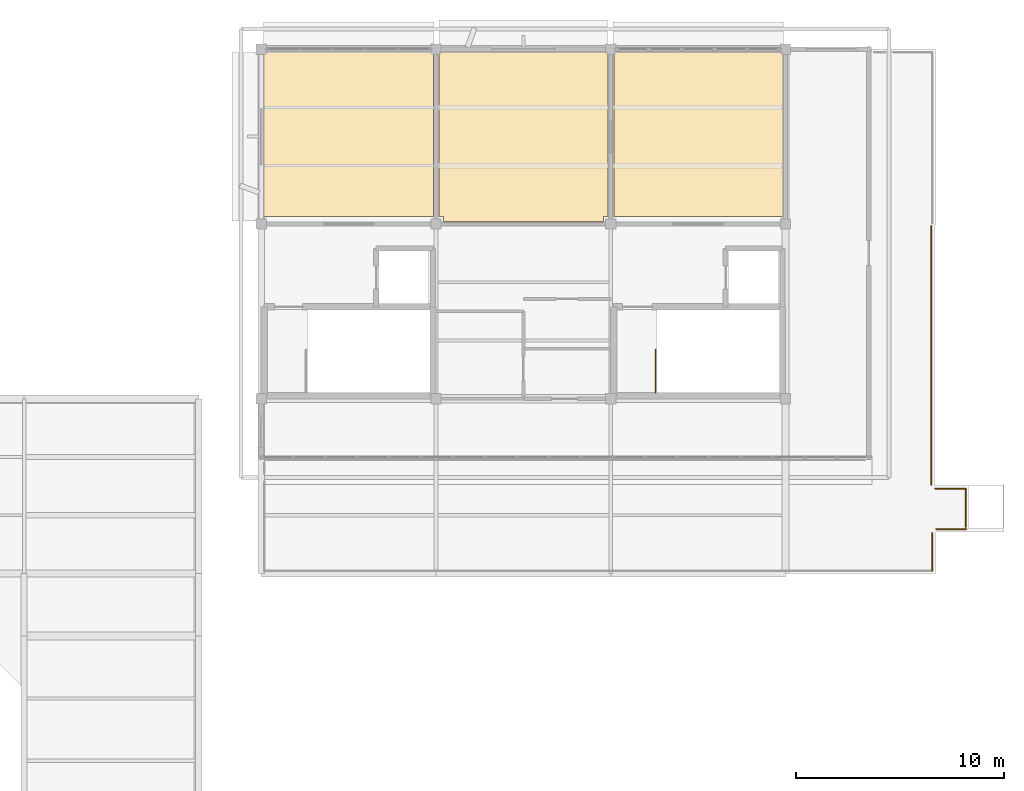
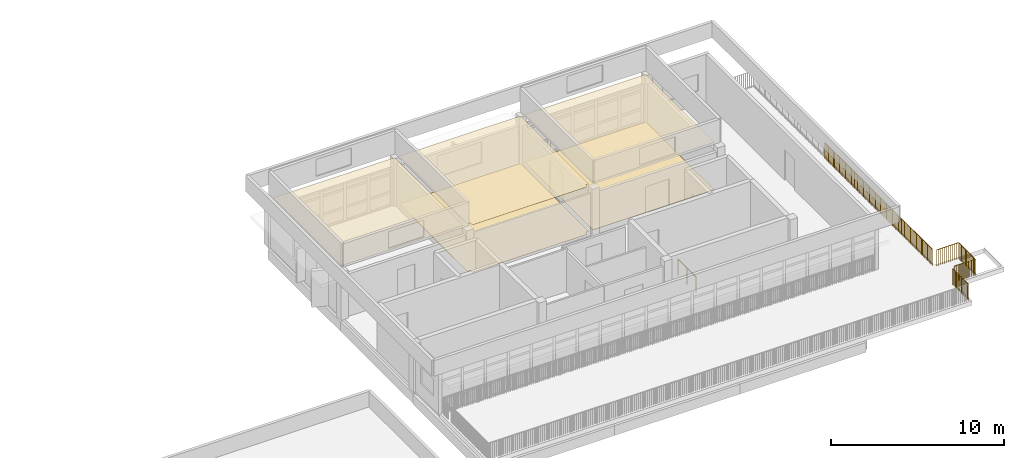
# One storey, part 13 of 14: 6 railings, 5 coverings.
"""IFC4 building model written with IfcOpenShell, lengths in metres."""

from ifc_helpers import new_model, si_unit, direction, frame, origin, origin_2d, place, context, subcontext, project, spatial, polyline, circle, outline, extrude, material, layer, layer_set, type_object, element, save


model = new_model("IFC4")

# Units and contexts
model_context = context("Model", 3, precision=1e-05, world=origin(), true_north=direction((0.0, 1.0)))
body_context = subcontext(model_context, "Body", "Model", "MODEL_VIEW")
ifc_project = project(units=[si_unit("LENGTHUNIT", "METRE"), si_unit("AREAUNIT", "SQUARE_METRE"), si_unit("VOLUMEUNIT", "CUBIC_METRE"), si_unit("PLANEANGLEUNIT", "RADIAN"), si_unit("MASSUNIT", "GRAM", prefix="KILO")], contexts=[model_context])

# Site, building, storey
site_placement = place(None, origin())
site = spatial("IfcSite", under=ifc_project, at=site_placement, CompositionType="ELEMENT")
building_placement = place(site_placement, origin())
building = spatial("IfcBuilding", under=site, at=building_placement, Name="Vanh Quang Courtyard School", CompositionType="ELEMENT")
storey_placement = place(building_placement, frame((0.0, 0.0, 22.199951171875)))
storey = spatial("IfcBuildingStorey", under=building, at=storey_placement, Name="L06", CompositionType="ELEMENT", Elevation=22.199951171875)

# Coverings
ifc_material_1 = material(Name="Perforated mineral-fibre acoustic ceiling board")
ifc_layer_1 = layer(ifc_material_1, 0.02490234375)
ifc_layer_set_1 = layer_set([ifc_layer_1], Name="Perforated mineral-fibre acoustic ceiling board")
covering_type_1 = type_object("IfcCoveringType", Name="COV-CEIL-ACOUSTIC", PredefinedType="CEILING", material=ifc_layer_set_1)
covering_1_placement = place(storey_placement, frame((0.0, 0.0, 3.35498046875)))
element("IfcCovering", 1, at=covering_1_placement, inside=storey, type_object=covering_type_1, Name="Covering CV-CL1 (L06)", PredefinedType="CEILING", context=body_context, shape_type="SweptSolid", body=[
    extrude(outline(polyline([(85.659912109375, 96.469970703125), (85.660888671875, 96.469970703125), (85.662109375, 96.4697265625), (85.662841796875, 96.469482421875), (85.663818359375, 96.46923828125), (85.664794921875, 96.46875), (85.66552734375, 96.46826171875), (85.666259765625, 96.4677734375), (85.6669921875, 96.467041015625), (85.667724609375, 96.46630859375), (85.668212890625, 96.465576171875), (85.668701171875, 96.464599609375), (85.669189453125, 96.4638671875), (85.669677734375, 96.462890625), (85.669921875, 96.4619140625), (85.669921875, 96.4609375), (85.669921875, 96.4599609375), (85.669921875, 88.550048828125), (77.530029296875, 88.550048828125), (77.530029296875, 96.4599609375), (77.530029296875, 96.4609375), (77.5302734375, 96.4619140625), (77.530517578125, 96.462890625), (77.53076171875, 96.4638671875), (77.53125, 96.464599609375), (77.53173828125, 96.465576171875), (77.5322265625, 96.46630859375), (77.532958984375, 96.467041015625), (77.53369140625, 96.4677734375), (77.534423828125, 96.46826171875), (77.535400390625, 96.46875), (77.5361328125, 96.46923828125), (77.537109375, 96.469482421875), (77.5380859375, 96.4697265625), (77.5390625, 96.469970703125), (77.5400390625, 96.469970703125), (85.659912109375, 96.469970703125)])), origin(), (0.0, 0.0, 1.0), 0.025146484375),
])
covering_2_placement = place(storey_placement, frame((0.0, 0.0, 3.35498046875)))
element("IfcCovering", 2, at=covering_2_placement, inside=storey, type_object=covering_type_1, Name="Covering CV-CL1 (L06)", PredefinedType="CEILING", context=body_context, shape_type="SweptSolid", body=[
    extrude(outline(polyline([(86.14990234375, 88.330078125), (86.14990234375, 88.550048828125), (85.949951171875, 88.550048828125), (85.949951171875, 96.4599609375), (85.949951171875, 96.4609375), (85.9501953125, 96.4619140625), (85.950439453125, 96.462890625), (85.95068359375, 96.4638671875), (85.951171875, 96.464599609375), (85.95166015625, 96.465576171875), (85.952392578125, 96.46630859375), (85.952880859375, 96.467041015625), (85.95361328125, 96.4677734375), (85.954345703125, 96.46826171875), (85.955322265625, 96.46875), (85.956298828125, 96.46923828125), (85.95703125, 96.469482421875), (85.9580078125, 96.4697265625), (85.958984375, 96.469970703125), (85.9599609375, 96.469970703125), (94.06005859375, 96.469970703125), (94.06103515625, 96.469970703125), (94.06201171875, 96.4697265625), (94.06298828125, 96.469482421875), (94.063720703125, 96.46923828125), (94.064697265625, 96.46875), (94.065673828125, 96.46826171875), (94.06640625, 96.4677734375), (94.067138671875, 96.467041015625), (94.067626953125, 96.46630859375), (94.068359375, 96.465576171875), (94.06884765625, 96.464599609375), (94.069091796875, 96.4638671875), (94.069580078125, 96.462890625), (94.06982421875, 96.4619140625), (94.070068359375, 96.4609375), (94.070068359375, 96.4599609375), (94.070068359375, 88.550048828125), (93.85009765625, 88.550048828125), (93.85009765625, 88.330078125), (86.14990234375, 88.330078125)])), origin(), (0.0, 0.0, 1.0), 0.025146484375),
])
covering_3_placement = place(storey_placement, frame((0.0, 0.0, 3.35498046875)))
element("IfcCovering", 3, at=covering_3_placement, inside=storey, type_object=covering_type_1, Name="Covering CV-CL1 (L06)", PredefinedType="CEILING", context=body_context, shape_type="SweptSolid", body=[
    extrude(outline(polyline([(94.35009765625, 96.4599609375), (94.35009765625, 96.4609375), (94.35009765625, 96.4619140625), (94.350341796875, 96.462890625), (94.350830078125, 96.4638671875), (94.351318359375, 96.464599609375), (94.351806640625, 96.465576171875), (94.352294921875, 96.46630859375), (94.352783203125, 96.467041015625), (94.353759765625, 96.4677734375), (94.3544921875, 96.46826171875), (94.355224609375, 96.46875), (94.356201171875, 96.46923828125), (94.357177734375, 96.469482421875), (94.35791015625, 96.4697265625), (94.35888671875, 96.469970703125), (94.360107421875, 96.469970703125), (102.4599609375, 96.469970703125), (102.4609375, 96.469970703125), (102.4619140625, 96.4697265625), (102.462890625, 96.469482421875), (102.4638671875, 96.46923828125), (102.464599609375, 96.46875), (102.465576171875, 96.46826171875), (102.46630859375, 96.4677734375), (102.467041015625, 96.467041015625), (102.4677734375, 96.46630859375), (102.46826171875, 96.465576171875), (102.46875, 96.464599609375), (102.46923828125, 96.4638671875), (102.469482421875, 96.462890625), (102.4697265625, 96.4619140625), (102.469970703125, 96.4609375), (102.469970703125, 96.4599609375), (102.469970703125, 88.550048828125), (94.35009765625, 88.550048828125), (94.35009765625, 96.4599609375)])), origin(), (0.0, 0.0, 1.0), 0.025146484375),
])
ifc_material_2 = material(Name="Polished cementitious terrazzo tile", Category="concrete")
ifc_layer_2 = layer(ifc_material_2, 0.02001953125)
ifc_layer_set_2 = layer_set([ifc_layer_2], Name="Polished cementitious terrazzo tile")
covering_type_2 = type_object("IfcCoveringType", Name="COV-FLR-TERRAZZO", PredefinedType="FLOORING", material=ifc_layer_set_2)
covering_4_placement = place(storey_placement, origin())
element("IfcCovering", 4, at=covering_4_placement, inside=storey, type_object=covering_type_2, Name="Covering CV-FL1 (L06)", PredefinedType="FLOORING", context=body_context, shape_type="SweptSolid", body=[
    extrude(outline(polyline([(86.14990234375, 88.330078125), (86.14990234375, 88.550048828125), (85.949951171875, 88.550048828125), (85.949951171875, 96.4599609375), (85.949951171875, 96.4609375), (85.9501953125, 96.4619140625), (85.950439453125, 96.462890625), (85.95068359375, 96.4638671875), (85.951171875, 96.464599609375), (85.95166015625, 96.465576171875), (85.952392578125, 96.46630859375), (85.952880859375, 96.467041015625), (85.95361328125, 96.4677734375), (85.954345703125, 96.46826171875), (85.955322265625, 96.46875), (85.956298828125, 96.46923828125), (85.95703125, 96.469482421875), (85.9580078125, 96.4697265625), (85.958984375, 96.469970703125), (85.9599609375, 96.469970703125), (94.06005859375, 96.469970703125), (94.06103515625, 96.469970703125), (94.06201171875, 96.4697265625), (94.06298828125, 96.469482421875), (94.063720703125, 96.46923828125), (94.064697265625, 96.46875), (94.065673828125, 96.46826171875), (94.06640625, 96.4677734375), (94.067138671875, 96.467041015625), (94.067626953125, 96.46630859375), (94.068359375, 96.465576171875), (94.06884765625, 96.464599609375), (94.069091796875, 96.4638671875), (94.069580078125, 96.462890625), (94.06982421875, 96.4619140625), (94.070068359375, 96.4609375), (94.070068359375, 96.4599609375), (94.070068359375, 88.550048828125), (93.85009765625, 88.550048828125), (93.85009765625, 88.330078125), (86.14990234375, 88.330078125)])), origin(), (0.0, 0.0, 1.0), 0.02001953125),
])
covering_5_placement = place(storey_placement, origin())
element("IfcCovering", 5, at=covering_5_placement, inside=storey, type_object=covering_type_2, Name="Covering CV-FL1 (L06)", PredefinedType="FLOORING", context=body_context, shape_type="SweptSolid", body=[
    extrude(outline(polyline([(94.35009765625, 96.4599609375), (94.35009765625, 96.4609375), (94.35009765625, 96.4619140625), (94.350341796875, 96.462890625), (94.350830078125, 96.4638671875), (94.351318359375, 96.464599609375), (94.351806640625, 96.465576171875), (94.352294921875, 96.46630859375), (94.352783203125, 96.467041015625), (94.353759765625, 96.4677734375), (94.3544921875, 96.46826171875), (94.355224609375, 96.46875), (94.356201171875, 96.46923828125), (94.357177734375, 96.469482421875), (94.35791015625, 96.4697265625), (94.35888671875, 96.469970703125), (94.360107421875, 96.469970703125), (102.4599609375, 96.469970703125), (102.4609375, 96.469970703125), (102.4619140625, 96.4697265625), (102.462890625, 96.469482421875), (102.4638671875, 96.46923828125), (102.464599609375, 96.46875), (102.465576171875, 96.46826171875), (102.46630859375, 96.4677734375), (102.467041015625, 96.467041015625), (102.4677734375, 96.46630859375), (102.46826171875, 96.465576171875), (102.46875, 96.464599609375), (102.46923828125, 96.4638671875), (102.469482421875, 96.462890625), (102.4697265625, 96.4619140625), (102.469970703125, 96.4609375), (102.469970703125, 96.4599609375), (102.469970703125, 88.550048828125), (94.35009765625, 88.550048828125), (94.35009765625, 96.4599609375)])), origin(), (0.0, 0.0, 1.0), 0.02001953125),
])

# Railings
ifc_material_3 = material(Name="Galvanised painted steel EN 10025-2 S355J2", Category="steel")
railing_type = type_object("IfcRailingType", Name="RAIL-GUARD-1150", PredefinedType="BALUSTRADE", material=ifc_material_3)
railing_1_placement = place(storey_placement, frame((109.610107421875, 88.10009765625, 0.0)))
element("IfcRailing", 6, at=railing_1_placement, inside=storey, type_object=railing_type, Name="Railing GR-01 (L06)", PredefinedType="BALUSTRADE", context=body_context, shape_type="SweptSolid", body=[
    extrude(circle(Radius=0.02392578125, at=origin_2d()), frame((0.0, 0.0, 1.1259765625), z_axis=(0.0, -1.0, 0.0), x_axis=(1.0, 0.0, 0.0)), (0.0, 0.0, 1.0), 12.43017578125),
    extrude(circle(Radius=0.02099609375, at=origin_2d()), origin(), (0.0, 0.0, 1.0), 1.101806640625),
    extrude(circle(Radius=0.02099609375, at=origin_2d()), frame((0.0, -0.1396484375, 0.0)), (0.0, 0.0, 1.0), 1.101806640625),
    extrude(circle(Radius=0.02099609375, at=origin_2d()), frame((0.0, -0.279296875, 0.0)), (0.0, 0.0, 1.0), 1.101806640625),
    extrude(circle(Radius=0.02099609375, at=origin_2d()), frame((0.0, -0.4189453125, 0.0)), (0.0, 0.0, 1.0), 1.101806640625),
    extrude(circle(Radius=0.02099609375, at=origin_2d()), frame((0.0, -0.55859375, 0.0)), (0.0, 0.0, 1.0), 1.101806640625),
    extrude(circle(Radius=0.02099609375, at=origin_2d()), frame((0.0, -0.6982421875, 0.0)), (0.0, 0.0, 1.0), 1.101806640625),
    extrude(circle(Radius=0.02099609375, at=origin_2d()), frame((0.0, -0.837890625, 0.0)), (0.0, 0.0, 1.0), 1.101806640625),
    extrude(circle(Radius=0.02099609375, at=origin_2d()), frame((0.0, -0.9775390625, 0.0)), (0.0, 0.0, 1.0), 1.101806640625),
    extrude(circle(Radius=0.02099609375, at=origin_2d()), frame((0.0, -1.117431640625, 0.0)), (0.0, 0.0, 1.0), 1.101806640625),
    extrude(circle(Radius=0.02099609375, at=origin_2d()), frame((0.0, -1.257080078125, 0.0)), (0.0, 0.0, 1.0), 1.101806640625),
    extrude(circle(Radius=0.02099609375, at=origin_2d()), frame((0.0, -1.396728515625, 0.0)), (0.0, 0.0, 1.0), 1.101806640625),
    extrude(circle(Radius=0.02099609375, at=origin_2d()), frame((0.0, -1.536376953125, 0.0)), (0.0, 0.0, 1.0), 1.101806640625),
    extrude(circle(Radius=0.02099609375, at=origin_2d()), frame((0.0, -1.676025390625, 0.0)), (0.0, 0.0, 1.0), 1.101806640625),
    extrude(circle(Radius=0.02099609375, at=origin_2d()), frame((0.0, -1.815673828125, 0.0)), (0.0, 0.0, 1.0), 1.101806640625),
    extrude(circle(Radius=0.02099609375, at=origin_2d()), frame((0.0, -1.955322265625, 0.0)), (0.0, 0.0, 1.0), 1.101806640625),
    extrude(circle(Radius=0.02099609375, at=origin_2d()), frame((0.0, -2.094970703125, 0.0)), (0.0, 0.0, 1.0), 1.101806640625),
    extrude(circle(Radius=0.02099609375, at=origin_2d()), frame((0.0, -2.234619140625, 0.0)), (0.0, 0.0, 1.0), 1.101806640625),
    extrude(circle(Radius=0.02099609375, at=origin_2d()), frame((0.0, -2.374267578125, 0.0)), (0.0, 0.0, 1.0), 1.101806640625),
    extrude(circle(Radius=0.02099609375, at=origin_2d()), frame((0.0, -2.513916015625, 0.0)), (0.0, 0.0, 1.0), 1.101806640625),
    extrude(circle(Radius=0.02099609375, at=origin_2d()), frame((0.0, -2.653564453125, 0.0)), (0.0, 0.0, 1.0), 1.101806640625),
    extrude(circle(Radius=0.02099609375, at=origin_2d()), frame((0.0, -2.793212890625, 0.0)), (0.0, 0.0, 1.0), 1.101806640625),
    extrude(circle(Radius=0.02099609375, at=origin_2d()), frame((0.0, -2.932861328125, 0.0)), (0.0, 0.0, 1.0), 1.101806640625),
    extrude(circle(Radius=0.02099609375, at=origin_2d()), frame((0.0, -3.072509765625, 0.0)), (0.0, 0.0, 1.0), 1.101806640625),
    extrude(circle(Radius=0.02099609375, at=origin_2d()), frame((0.0, -3.21240234375, 0.0)), (0.0, 0.0, 1.0), 1.101806640625),
    extrude(circle(Radius=0.02099609375, at=origin_2d()), frame((0.0, -3.35205078125, 0.0)), (0.0, 0.0, 1.0), 1.101806640625),
    extrude(circle(Radius=0.02099609375, at=origin_2d()), frame((0.0, -3.49169921875, 0.0)), (0.0, 0.0, 1.0), 1.101806640625),
    extrude(circle(Radius=0.02099609375, at=origin_2d()), frame((0.0, -3.63134765625, 0.0)), (0.0, 0.0, 1.0), 1.101806640625),
    extrude(circle(Radius=0.02099609375, at=origin_2d()), frame((0.0, -3.77099609375, 0.0)), (0.0, 0.0, 1.0), 1.101806640625),
    extrude(circle(Radius=0.02099609375, at=origin_2d()), frame((0.0, -3.91064453125, 0.0)), (0.0, 0.0, 1.0), 1.101806640625),
    extrude(circle(Radius=0.02099609375, at=origin_2d()), frame((0.0, -4.05029296875, 0.0)), (0.0, 0.0, 1.0), 1.101806640625),
    extrude(circle(Radius=0.02099609375, at=origin_2d()), frame((0.0, -4.18994140625, 0.0)), (0.0, 0.0, 1.0), 1.101806640625),
    extrude(circle(Radius=0.02099609375, at=origin_2d()), frame((0.0, -4.32958984375, 0.0)), (0.0, 0.0, 1.0), 1.101806640625),
    extrude(circle(Radius=0.02099609375, at=origin_2d()), frame((0.0, -4.46923828125, 0.0)), (0.0, 0.0, 1.0), 1.101806640625),
    extrude(circle(Radius=0.02099609375, at=origin_2d()), frame((0.0, -4.60888671875, 0.0)), (0.0, 0.0, 1.0), 1.101806640625),
    extrude(circle(Radius=0.02099609375, at=origin_2d()), frame((0.0, -4.74853515625, 0.0)), (0.0, 0.0, 1.0), 1.101806640625),
    extrude(circle(Radius=0.02099609375, at=origin_2d()), frame((0.0, -4.88818359375, 0.0)), (0.0, 0.0, 1.0), 1.101806640625),
    extrude(circle(Radius=0.02099609375, at=origin_2d()), frame((0.0, -5.02783203125, 0.0)), (0.0, 0.0, 1.0), 1.101806640625),
    extrude(circle(Radius=0.02099609375, at=origin_2d()), frame((0.0, -5.16748046875, 0.0)), (0.0, 0.0, 1.0), 1.101806640625),
    extrude(circle(Radius=0.02099609375, at=origin_2d()), frame((0.0, -5.307373046875, 0.0)), (0.0, 0.0, 1.0), 1.101806640625),
    extrude(circle(Radius=0.02099609375, at=origin_2d()), frame((0.0, -5.447021484375, 0.0)), (0.0, 0.0, 1.0), 1.101806640625),
    extrude(circle(Radius=0.02099609375, at=origin_2d()), frame((0.0, -5.586669921875, 0.0)), (0.0, 0.0, 1.0), 1.101806640625),
    extrude(circle(Radius=0.02099609375, at=origin_2d()), frame((0.0, -5.726318359375, 0.0)), (0.0, 0.0, 1.0), 1.101806640625),
    extrude(circle(Radius=0.02099609375, at=origin_2d()), frame((0.0, -5.865966796875, 0.0)), (0.0, 0.0, 1.0), 1.101806640625),
    extrude(circle(Radius=0.02099609375, at=origin_2d()), frame((0.0, -6.005615234375, 0.0)), (0.0, 0.0, 1.0), 1.101806640625),
    extrude(circle(Radius=0.02099609375, at=origin_2d()), frame((0.0, -6.145263671875, 0.0)), (0.0, 0.0, 1.0), 1.101806640625),
    extrude(circle(Radius=0.02099609375, at=origin_2d()), frame((0.0, -6.284912109375, 0.0)), (0.0, 0.0, 1.0), 1.101806640625),
    extrude(circle(Radius=0.02099609375, at=origin_2d()), frame((0.0, -6.424560546875, 0.0)), (0.0, 0.0, 1.0), 1.101806640625),
    extrude(circle(Radius=0.02099609375, at=origin_2d()), frame((0.0, -6.564208984375, 0.0)), (0.0, 0.0, 1.0), 1.101806640625),
    extrude(circle(Radius=0.02099609375, at=origin_2d()), frame((0.0, -6.703857421875, 0.0)), (0.0, 0.0, 1.0), 1.101806640625),
    extrude(circle(Radius=0.02099609375, at=origin_2d()), frame((0.0, -6.843505859375, 0.0)), (0.0, 0.0, 1.0), 1.101806640625),
    extrude(circle(Radius=0.02099609375, at=origin_2d()), frame((0.0, -6.983154296875, 0.0)), (0.0, 0.0, 1.0), 1.101806640625),
    extrude(circle(Radius=0.02099609375, at=origin_2d()), frame((0.0, -7.122802734375, 0.0)), (0.0, 0.0, 1.0), 1.101806640625),
    extrude(circle(Radius=0.02099609375, at=origin_2d()), frame((0.0, -7.2626953125, 0.0)), (0.0, 0.0, 1.0), 1.101806640625),
    extrude(circle(Radius=0.02099609375, at=origin_2d()), frame((0.0, -7.40234375, 0.0)), (0.0, 0.0, 1.0), 1.101806640625),
    extrude(circle(Radius=0.02099609375, at=origin_2d()), frame((0.0, -7.5419921875, 0.0)), (0.0, 0.0, 1.0), 1.101806640625),
    extrude(circle(Radius=0.02099609375, at=origin_2d()), frame((0.0, -7.681640625, 0.0)), (0.0, 0.0, 1.0), 1.101806640625),
    extrude(circle(Radius=0.02099609375, at=origin_2d()), frame((0.0, -7.8212890625, 0.0)), (0.0, 0.0, 1.0), 1.101806640625),
    extrude(circle(Radius=0.02099609375, at=origin_2d()), frame((0.0, -7.9609375, 0.0)), (0.0, 0.0, 1.0), 1.101806640625),
    extrude(circle(Radius=0.02099609375, at=origin_2d()), frame((0.0, -8.1005859375, 0.0)), (0.0, 0.0, 1.0), 1.101806640625),
    extrude(circle(Radius=0.02099609375, at=origin_2d()), frame((0.0, -8.240234375, 0.0)), (0.0, 0.0, 1.0), 1.101806640625),
    extrude(circle(Radius=0.02099609375, at=origin_2d()), frame((0.0, -8.3798828125, 0.0)), (0.0, 0.0, 1.0), 1.101806640625),
    extrude(circle(Radius=0.02099609375, at=origin_2d()), frame((0.0, -8.51953125, 0.0)), (0.0, 0.0, 1.0), 1.101806640625),
    extrude(circle(Radius=0.02099609375, at=origin_2d()), frame((0.0, -8.6591796875, 0.0)), (0.0, 0.0, 1.0), 1.101806640625),
    extrude(circle(Radius=0.02099609375, at=origin_2d()), frame((0.0, -8.798828125, 0.0)), (0.0, 0.0, 1.0), 1.101806640625),
    extrude(circle(Radius=0.02099609375, at=origin_2d()), frame((0.0, -8.9384765625, 0.0)), (0.0, 0.0, 1.0), 1.101806640625),
    extrude(circle(Radius=0.02099609375, at=origin_2d()), frame((0.0, -9.078125, 0.0)), (0.0, 0.0, 1.0), 1.101806640625),
    extrude(circle(Radius=0.02099609375, at=origin_2d()), frame((0.0, -9.2177734375, 0.0)), (0.0, 0.0, 1.0), 1.101806640625),
    extrude(circle(Radius=0.02099609375, at=origin_2d()), frame((0.0, -9.357666015625, 0.0)), (0.0, 0.0, 1.0), 1.101806640625),
    extrude(circle(Radius=0.02099609375, at=origin_2d()), frame((0.0, -9.497314453125, 0.0)), (0.0, 0.0, 1.0), 1.101806640625),
    extrude(circle(Radius=0.02099609375, at=origin_2d()), frame((0.0, -9.636962890625, 0.0)), (0.0, 0.0, 1.0), 1.101806640625),
    extrude(circle(Radius=0.02099609375, at=origin_2d()), frame((0.0, -9.776611328125, 0.0)), (0.0, 0.0, 1.0), 1.101806640625),
    extrude(circle(Radius=0.02099609375, at=origin_2d()), frame((0.0, -9.916259765625, 0.0)), (0.0, 0.0, 1.0), 1.101806640625),
    extrude(circle(Radius=0.02099609375, at=origin_2d()), frame((0.0, -10.055908203125, 0.0)), (0.0, 0.0, 1.0), 1.101806640625),
    extrude(circle(Radius=0.02099609375, at=origin_2d()), frame((0.0, -10.195556640625, 0.0)), (0.0, 0.0, 1.0), 1.101806640625),
    extrude(circle(Radius=0.02099609375, at=origin_2d()), frame((0.0, -10.335205078125, 0.0)), (0.0, 0.0, 1.0), 1.101806640625),
    extrude(circle(Radius=0.02099609375, at=origin_2d()), frame((0.0, -10.474853515625, 0.0)), (0.0, 0.0, 1.0), 1.101806640625),
    extrude(circle(Radius=0.02099609375, at=origin_2d()), frame((0.0, -10.614501953125, 0.0)), (0.0, 0.0, 1.0), 1.101806640625),
    extrude(circle(Radius=0.02099609375, at=origin_2d()), frame((0.0, -10.754150390625, 0.0)), (0.0, 0.0, 1.0), 1.101806640625),
    extrude(circle(Radius=0.02099609375, at=origin_2d()), frame((0.0, -10.893798828125, 0.0)), (0.0, 0.0, 1.0), 1.101806640625),
    extrude(circle(Radius=0.02099609375, at=origin_2d()), frame((0.0, -11.033447265625, 0.0)), (0.0, 0.0, 1.0), 1.101806640625),
    extrude(circle(Radius=0.02099609375, at=origin_2d()), frame((0.0, -11.173095703125, 0.0)), (0.0, 0.0, 1.0), 1.101806640625),
    extrude(circle(Radius=0.02099609375, at=origin_2d()), frame((0.0, -11.312744140625, 0.0)), (0.0, 0.0, 1.0), 1.101806640625),
    extrude(circle(Radius=0.02099609375, at=origin_2d()), frame((0.0, -11.45263671875, 0.0)), (0.0, 0.0, 1.0), 1.101806640625),
    extrude(circle(Radius=0.02099609375, at=origin_2d()), frame((0.0, -11.59228515625, 0.0)), (0.0, 0.0, 1.0), 1.101806640625),
    extrude(circle(Radius=0.02099609375, at=origin_2d()), frame((0.0, -11.73193359375, 0.0)), (0.0, 0.0, 1.0), 1.101806640625),
    extrude(circle(Radius=0.02099609375, at=origin_2d()), frame((0.0, -11.87158203125, 0.0)), (0.0, 0.0, 1.0), 1.101806640625),
    extrude(circle(Radius=0.02099609375, at=origin_2d()), frame((0.0, -12.01123046875, 0.0)), (0.0, 0.0, 1.0), 1.101806640625),
    extrude(circle(Radius=0.02099609375, at=origin_2d()), frame((0.0, -12.15087890625, 0.0)), (0.0, 0.0, 1.0), 1.101806640625),
    extrude(circle(Radius=0.02099609375, at=origin_2d()), frame((0.0, -12.29052734375, 0.0)), (0.0, 0.0, 1.0), 1.101806640625),
    extrude(circle(Radius=0.02099609375, at=origin_2d()), frame((0.0, -12.43017578125, 0.0)), (0.0, 0.0, 1.0), 1.101806640625),
])
railing_2_placement = place(storey_placement, frame((109.800048828125, 75.47998046875, 0.0)))
element("IfcRailing", 7, at=railing_2_placement, inside=storey, type_object=railing_type, Name="Railing GR-01 (L06)", PredefinedType="BALUSTRADE", context=body_context, shape_type="SweptSolid", body=[
    extrude(circle(Radius=0.02392578125, at=origin_2d()), frame((0.0, 0.0, 1.1259765625), z_axis=(1.0, 0.0, 0.0), x_axis=(0.0, 1.0, 0.0)), (0.0, 0.0, 1.0), 1.46484375),
    extrude(circle(Radius=0.02099609375, at=origin_2d()), origin(), (0.0, 0.0, 1.0), 1.101806640625),
    extrude(circle(Radius=0.02099609375, at=origin_2d()), frame((0.133056640625, 0.0, 0.0)), (0.0, 0.0, 1.0), 1.101806640625),
    extrude(circle(Radius=0.02099609375, at=origin_2d()), frame((0.266357421875, 0.0, 0.0)), (0.0, 0.0, 1.0), 1.101806640625),
    extrude(circle(Radius=0.02099609375, at=origin_2d()), frame((0.3994140625, 0.0, 0.0)), (0.0, 0.0, 1.0), 1.101806640625),
    extrude(circle(Radius=0.02099609375, at=origin_2d()), frame((0.53271484375, 0.0, 0.0)), (0.0, 0.0, 1.0), 1.101806640625),
    extrude(circle(Radius=0.02099609375, at=origin_2d()), frame((0.665771484375, 0.0, 0.0)), (0.0, 0.0, 1.0), 1.101806640625),
    extrude(circle(Radius=0.02099609375, at=origin_2d()), frame((0.799072265625, 0.0, 0.0)), (0.0, 0.0, 1.0), 1.101806640625),
    extrude(circle(Radius=0.02099609375, at=origin_2d()), frame((0.93212890625, 0.0, 0.0)), (0.0, 0.0, 1.0), 1.101806640625),
    extrude(circle(Radius=0.02099609375, at=origin_2d()), frame((1.0654296875, 0.0, 0.0)), (0.0, 0.0, 1.0), 1.101806640625),
    extrude(circle(Radius=0.02099609375, at=origin_2d()), frame((1.198486328125, 0.0, 0.0)), (0.0, 0.0, 1.0), 1.101806640625),
    extrude(circle(Radius=0.02099609375, at=origin_2d()), frame((1.331787109375, 0.0, 0.0)), (0.0, 0.0, 1.0), 1.101806640625),
    extrude(circle(Radius=0.02099609375, at=origin_2d()), frame((1.46484375, 0.0, 0.0)), (0.0, 0.0, 1.0), 1.101806640625),
])
railing_3_placement = place(storey_placement, frame((111.264892578125, 75.47998046875, 0.0)))
element("IfcRailing", 8, at=railing_3_placement, inside=storey, type_object=railing_type, Name="Railing GR-01 (L06)", PredefinedType="BALUSTRADE", context=body_context, shape_type="SweptSolid", body=[
    extrude(circle(Radius=0.02392578125, at=origin_2d()), frame((0.0, 0.0, 1.1259765625), z_axis=(0.0, -1.0, 0.0), x_axis=(1.0, 0.0, 0.0)), (0.0, 0.0, 1.0), 1.844970703125),
    extrude(circle(Radius=0.02099609375, at=origin_2d()), origin(), (0.0, 0.0, 1.0), 1.101806640625),
    extrude(circle(Radius=0.02099609375, at=origin_2d()), frame((0.0, -0.1318359375, 0.0)), (0.0, 0.0, 1.0), 1.101806640625),
    extrude(circle(Radius=0.02099609375, at=origin_2d()), frame((0.0, -0.263671875, 0.0)), (0.0, 0.0, 1.0), 1.101806640625),
    extrude(circle(Radius=0.02099609375, at=origin_2d()), frame((0.0, -0.395263671875, 0.0)), (0.0, 0.0, 1.0), 1.101806640625),
    extrude(circle(Radius=0.02099609375, at=origin_2d()), frame((0.0, -0.527099609375, 0.0)), (0.0, 0.0, 1.0), 1.101806640625),
    extrude(circle(Radius=0.02099609375, at=origin_2d()), frame((0.0, -0.658935546875, 0.0)), (0.0, 0.0, 1.0), 1.101806640625),
    extrude(circle(Radius=0.02099609375, at=origin_2d()), frame((0.0, -0.790771484375, 0.0)), (0.0, 0.0, 1.0), 1.101806640625),
    extrude(circle(Radius=0.02099609375, at=origin_2d()), frame((0.0, -0.92236328125, 0.0)), (0.0, 0.0, 1.0), 1.101806640625),
    extrude(circle(Radius=0.02099609375, at=origin_2d()), frame((0.0, -1.05419921875, 0.0)), (0.0, 0.0, 1.0), 1.101806640625),
    extrude(circle(Radius=0.02099609375, at=origin_2d()), frame((0.0, -1.18603515625, 0.0)), (0.0, 0.0, 1.0), 1.101806640625),
    extrude(circle(Radius=0.02099609375, at=origin_2d()), frame((0.0, -1.31787109375, 0.0)), (0.0, 0.0, 1.0), 1.101806640625),
    extrude(circle(Radius=0.02099609375, at=origin_2d()), frame((0.0, -1.44970703125, 0.0)), (0.0, 0.0, 1.0), 1.101806640625),
    extrude(circle(Radius=0.02099609375, at=origin_2d()), frame((0.0, -1.581298828125, 0.0)), (0.0, 0.0, 1.0), 1.101806640625),
    extrude(circle(Radius=0.02099609375, at=origin_2d()), frame((0.0, -1.713134765625, 0.0)), (0.0, 0.0, 1.0), 1.101806640625),
    extrude(circle(Radius=0.02099609375, at=origin_2d()), frame((0.0, -1.844970703125, 0.0)), (0.0, 0.0, 1.0), 1.101806640625),
])
railing_4_placement = place(storey_placement, frame((111.29052734375, 73.5400390625, 0.0)))
element("IfcRailing", 9, at=railing_4_placement, inside=storey, type_object=railing_type, Name="Railing GR-01 (L06)", PredefinedType="BALUSTRADE", context=body_context, shape_type="SweptSolid", body=[
    extrude(circle(Radius=0.02392578125, at=origin_2d()), frame((0.0, 0.0, 1.1259765625), z_axis=(-1.0, 0.0, 0.0), x_axis=(0.0, -1.0, 0.0)), (0.0, 0.0, 1.0), 1.4404296875),
    extrude(circle(Radius=0.02099609375, at=origin_2d()), origin(), (0.0, 0.0, 1.0), 1.101806640625),
    extrude(circle(Radius=0.02099609375, at=origin_2d()), frame((-0.130859375, 0.0, 0.0)), (0.0, 0.0, 1.0), 1.101806640625),
    extrude(circle(Radius=0.02099609375, at=origin_2d()), frame((-0.261962890625, 0.0, 0.0)), (0.0, 0.0, 1.0), 1.101806640625),
    extrude(circle(Radius=0.02099609375, at=origin_2d()), frame((-0.392822265625, 0.0, 0.0)), (0.0, 0.0, 1.0), 1.101806640625),
    extrude(circle(Radius=0.02099609375, at=origin_2d()), frame((-0.523681640625, 0.0, 0.0)), (0.0, 0.0, 1.0), 1.101806640625),
    extrude(circle(Radius=0.02099609375, at=origin_2d()), frame((-0.65478515625, 0.0, 0.0)), (0.0, 0.0, 1.0), 1.101806640625),
    extrude(circle(Radius=0.02099609375, at=origin_2d()), frame((-0.78564453125, 0.0, 0.0)), (0.0, 0.0, 1.0), 1.101806640625),
    extrude(circle(Radius=0.02099609375, at=origin_2d()), frame((-0.916748046875, 0.0, 0.0)), (0.0, 0.0, 1.0), 1.101806640625),
    extrude(circle(Radius=0.02099609375, at=origin_2d()), frame((-1.047607421875, 0.0, 0.0)), (0.0, 0.0, 1.0), 1.101806640625),
    extrude(circle(Radius=0.02099609375, at=origin_2d()), frame((-1.178466796875, 0.0, 0.0)), (0.0, 0.0, 1.0), 1.101806640625),
    extrude(circle(Radius=0.02099609375, at=origin_2d()), frame((-1.3095703125, 0.0, 0.0)), (0.0, 0.0, 1.0), 1.101806640625),
    extrude(circle(Radius=0.02099609375, at=origin_2d()), frame((-1.4404296875, 0.0, 0.0)), (0.0, 0.0, 1.0), 1.101806640625),
])
railing_5_placement = place(storey_placement, frame((109.659912109375, 73.35009765625, 0.0)))
element("IfcRailing", 10, at=railing_5_placement, inside=storey, type_object=railing_type, Name="Railing GR-01 (L06)", PredefinedType="BALUSTRADE", context=body_context, shape_type="SweptSolid", body=[
    extrude(circle(Radius=0.02392578125, at=origin_2d()), frame((0.0, 0.0, 1.1259765625), z_axis=(0.0, -1.0, 0.0), x_axis=(1.0, 0.0, 0.0)), (0.0, 0.0, 1.0), 1.81005859375),
    extrude(circle(Radius=0.02099609375, at=origin_2d()), origin(), (0.0, 0.0, 1.0), 1.101806640625),
    extrude(circle(Radius=0.02099609375, at=origin_2d()), frame((0.0, -0.13916015625, 0.0)), (0.0, 0.0, 1.0), 1.101806640625),
    extrude(circle(Radius=0.02099609375, at=origin_2d()), frame((0.0, -0.278564453125, 0.0)), (0.0, 0.0, 1.0), 1.101806640625),
    extrude(circle(Radius=0.02099609375, at=origin_2d()), frame((0.0, -0.417724609375, 0.0)), (0.0, 0.0, 1.0), 1.101806640625),
    extrude(circle(Radius=0.02099609375, at=origin_2d()), frame((0.0, -0.556884765625, 0.0)), (0.0, 0.0, 1.0), 1.101806640625),
    extrude(circle(Radius=0.02099609375, at=origin_2d()), frame((0.0, -0.6962890625, 0.0)), (0.0, 0.0, 1.0), 1.101806640625),
    extrude(circle(Radius=0.02099609375, at=origin_2d()), frame((0.0, -0.83544921875, 0.0)), (0.0, 0.0, 1.0), 1.101806640625),
    extrude(circle(Radius=0.02099609375, at=origin_2d()), frame((0.0, -0.974609375, 0.0)), (0.0, 0.0, 1.0), 1.101806640625),
    extrude(circle(Radius=0.02099609375, at=origin_2d()), frame((0.0, -1.11376953125, 0.0)), (0.0, 0.0, 1.0), 1.101806640625),
    extrude(circle(Radius=0.02099609375, at=origin_2d()), frame((0.0, -1.253173828125, 0.0)), (0.0, 0.0, 1.0), 1.101806640625),
    extrude(circle(Radius=0.02099609375, at=origin_2d()), frame((0.0, -1.392333984375, 0.0)), (0.0, 0.0, 1.0), 1.101806640625),
    extrude(circle(Radius=0.02099609375, at=origin_2d()), frame((0.0, -1.531494140625, 0.0)), (0.0, 0.0, 1.0), 1.101806640625),
    extrude(circle(Radius=0.02099609375, at=origin_2d()), frame((0.0, -1.6708984375, 0.0)), (0.0, 0.0, 1.0), 1.101806640625),
    extrude(circle(Radius=0.02099609375, at=origin_2d()), frame((0.0, -1.81005859375, 0.0)), (0.0, 0.0, 1.0), 1.101806640625),
])
railing_6_placement = place(storey_placement, frame((96.35009765625, 80.080078125, 0.0)))
element("IfcRailing", 11, at=railing_6_placement, inside=storey, type_object=railing_type, Name="L06 ST-02 top well guard 1", PredefinedType="BALUSTRADE", context=body_context, shape_type="SweptSolid", body=[
    extrude(circle(Radius=0.02392578125, at=origin_2d()), frame((0.0, 0.0, 1.1259765625), z_axis=(0.0, 1.0, 0.0), x_axis=(-1.0, 0.0, 0.0)), (0.0, 0.0, 1.0), 2.079833984375),
    extrude(circle(Radius=0.02099609375, at=origin_2d()), origin(), (0.0, 0.0, 1.0), 1.101806640625),
    extrude(circle(Radius=0.02099609375, at=origin_2d()), frame((0.0, 1.0400390625, 0.0)), (0.0, 0.0, 1.0), 1.101806640625),
    extrude(circle(Radius=0.02099609375, at=origin_2d()), frame((0.0, 2.079833984375, 0.0)), (0.0, 0.0, 1.0), 1.101806640625),
])

save(model, "model.ifc")
